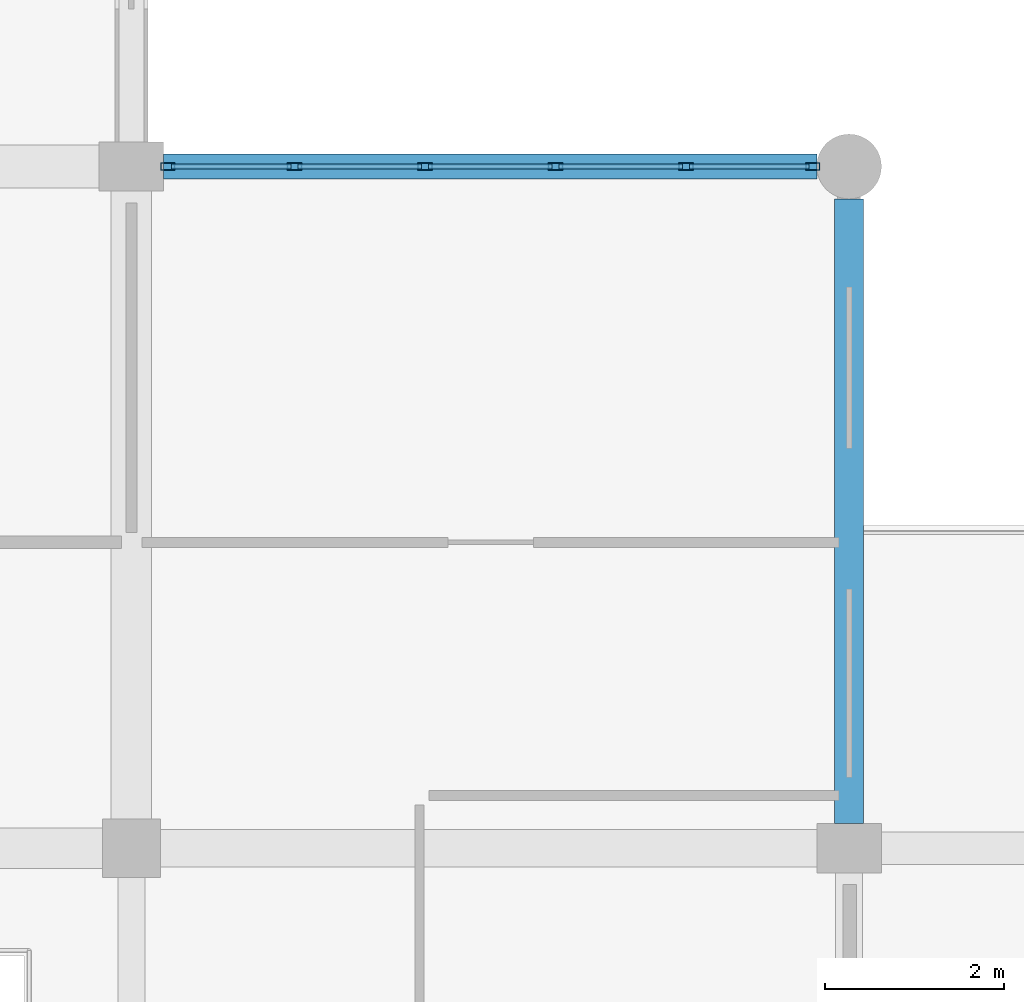
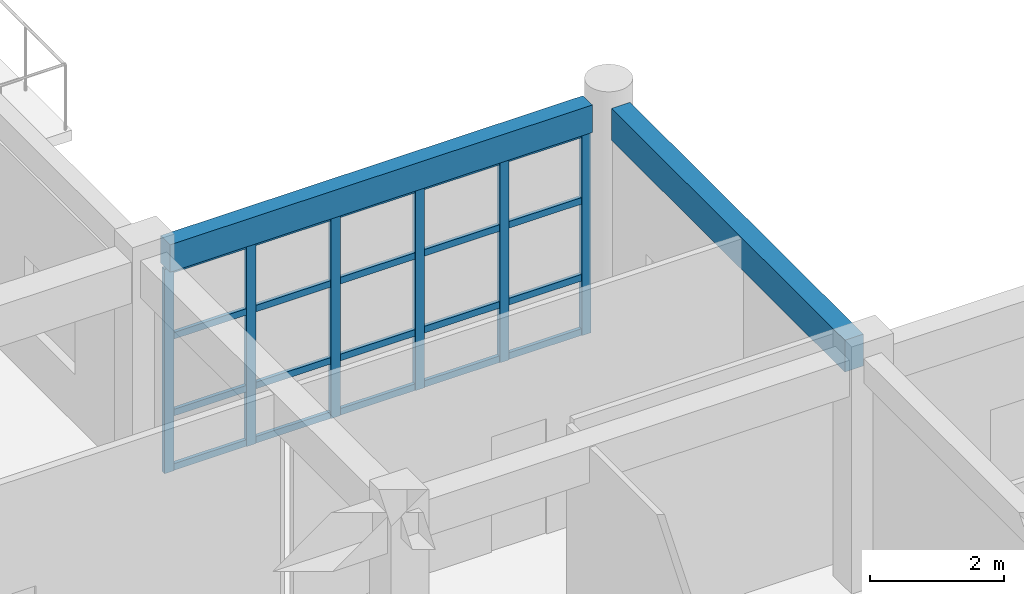
# One storey, part 48 of 160: 26 members, 2 beams, 1 element without a shape of its own.
"""IFC4 building model written with IfcOpenShell, lengths in metres."""

from ifc_helpers import new_model, si_unit, direction, frame, origin, origin_2d, place, context, subcontext, project, spatial, rectangle, hollow_rectangle, extrude, material, material_profile, profile_set, type_object, element, aggregate, save


model = new_model("IFC4")

# Units and contexts
model_context = context("Model", 3, precision=1e-05, world=origin(), true_north=direction((0.0, 1.0)))
body_context = subcontext(model_context, "Body", "Model", "MODEL_VIEW")
ifc_project = project(units=[si_unit("LENGTHUNIT", "METRE"), si_unit("AREAUNIT", "SQUARE_METRE"), si_unit("VOLUMEUNIT", "CUBIC_METRE"), si_unit("PLANEANGLEUNIT", "RADIAN"), si_unit("MASSUNIT", "GRAM", prefix="KILO")], contexts=[model_context])

# Site, building, storey
site_placement = place(None, origin())
site = spatial("IfcSite", under=ifc_project, at=site_placement, CompositionType="ELEMENT")
building_placement = place(site_placement, origin())
building = spatial("IfcBuilding", under=site, at=building_placement, Name="Kharva Crest Polytechnic", CompositionType="ELEMENT")
storey_placement = place(building_placement, frame((0.0, 0.0, 4.5)))
storey = spatial("IfcBuildingStorey", under=building, at=storey_placement, Name="L01", CompositionType="ELEMENT", Elevation=4.5)

# Curtain wall, members
ifc_material_1 = material(Name="Tempered insulated glass", Category="glass")
curtain_wall_type = type_object("IfcCurtainWallType", Name="CW-SYS-COURT", PredefinedType="USERDEFINED", material=ifc_material_1)
curtain_wall_placement = place(storey_placement, origin())
curtain_wall = element("IfcCurtainWall", 1, at=curtain_wall_placement, inside=storey, type_object=curtain_wall_type, Name="L01 Glazed Curtain Wall CW-035", ObjectType="CURTAIN WALL", PredefinedType="USERDEFINED")
ifc_material_2 = material(Name="Steel S355", Category="steel")
ifc_material_profile_1 = material_profile(ifc_material_2, hollow_rectangle(XDim=0.080078125, YDim=0.159912109375, WallThickness=0.0048828125, at=origin_2d()), Name="RHS 160X80X5.0")
ifc_profile_set_1 = profile_set([ifc_material_profile_1], Name="Steel S355")
member_type_1 = type_object("IfcMemberType", Name="CWM-RHS160X80", PredefinedType="MULLION", material=ifc_profile_set_1)
member_1_placement = place(storey_placement, frame((55.594970703125, 30.39990234375, 0.0), z_axis=(0.0, 0.0, 1.0), x_axis=(0.0, -1.0, 0.0)))
member_1 = element("IfcMember", 2, at=member_1_placement, type_object=member_type_1, Name="CW-035 mullion 1", PredefinedType="MULLION", context=body_context, shape_type="SweptSolid", body=[
    extrude(hollow_rectangle(XDim=0.080078125, YDim=0.159912109375, WallThickness=0.0048828125, at=origin_2d()), origin(), (0.0, 0.0, 1.0), 3.719970703125),
])
member_2_placement = place(storey_placement, frame((54.180908203125, 30.39990234375, 0.0), z_axis=(0.0, 0.0, 1.0), x_axis=(0.0, -1.0, 0.0)))
member_2 = element("IfcMember", 3, at=member_2_placement, type_object=member_type_1, Name="CW-035 mullion 2", PredefinedType="MULLION", context=body_context, shape_type="SweptSolid", body=[
    extrude(hollow_rectangle(XDim=0.080078125, YDim=0.159912109375, WallThickness=0.0048828125, at=origin_2d()), origin(), (0.0, 0.0, 1.0), 3.719970703125),
])
member_3_placement = place(storey_placement, frame((52.72705078125, 30.39990234375, 0.0), z_axis=(0.0, 0.0, 1.0), x_axis=(0.0, -1.0, 0.0)))
member_3 = element("IfcMember", 4, at=member_3_placement, type_object=member_type_1, Name="CW-035 mullion 3", PredefinedType="MULLION", context=body_context, shape_type="SweptSolid", body=[
    extrude(hollow_rectangle(XDim=0.080078125, YDim=0.159912109375, WallThickness=0.0048828125, at=origin_2d()), origin(), (0.0, 0.0, 1.0), 3.719970703125),
])
member_4_placement = place(storey_placement, frame((51.27294921875, 30.39990234375, 0.0), z_axis=(0.0, 0.0, 1.0), x_axis=(0.0, -1.0, 0.0)))
member_4 = element("IfcMember", 5, at=member_4_placement, type_object=member_type_1, Name="CW-035 mullion 4", PredefinedType="MULLION", context=body_context, shape_type="SweptSolid", body=[
    extrude(hollow_rectangle(XDim=0.080078125, YDim=0.159912109375, WallThickness=0.0048828125, at=origin_2d()), origin(), (0.0, 0.0, 1.0), 3.719970703125),
])
member_5_placement = place(storey_placement, frame((49.819091796875, 30.39990234375, 0.0), z_axis=(0.0, 0.0, 1.0), x_axis=(0.0, -1.0, 0.0)))
member_5 = element("IfcMember", 6, at=member_5_placement, type_object=member_type_1, Name="CW-035 mullion 5", PredefinedType="MULLION", context=body_context, shape_type="SweptSolid", body=[
    extrude(hollow_rectangle(XDim=0.080078125, YDim=0.159912109375, WallThickness=0.0048828125, at=origin_2d()), origin(), (0.0, 0.0, 1.0), 3.719970703125),
])
member_6_placement = place(storey_placement, frame((48.405029296875, 30.39990234375, 0.0), z_axis=(0.0, 0.0, 1.0), x_axis=(0.0, -1.0, 0.0)))
member_6 = element("IfcMember", 7, at=member_6_placement, type_object=member_type_1, Name="CW-035 mullion 6", PredefinedType="MULLION", context=body_context, shape_type="SweptSolid", body=[
    extrude(hollow_rectangle(XDim=0.080078125, YDim=0.159912109375, WallThickness=0.0048828125, at=origin_2d()), origin(), (0.0, 0.0, 1.0), 3.719970703125),
])
ifc_material_profile_2 = material_profile(ifc_material_2, hollow_rectangle(XDim=0.06005859375, YDim=0.1201171875, WallThickness=0.00390625, at=origin_2d()), Name="RHS 120X60X4.0")
ifc_profile_set_2 = profile_set([ifc_material_profile_2], Name="Steel S355")
member_type_2 = type_object("IfcMemberType", Name="CWT-RHS120X60", PredefinedType="USERDEFINED", material=ifc_profile_set_2)
member_7_placement = place(storey_placement, frame((55.554931640625, 30.39990234375, 0.06005859375), z_axis=(-1.0, 0.0, 0.0), x_axis=(0.0, -1.0, 0.0)))
member_7 = element("IfcMember", 8, at=member_7_placement, type_object=member_type_2, Name="CW-035 transom 1.1", ObjectType="TRANSOM", PredefinedType="USERDEFINED", context=body_context, shape_type="SweptSolid", body=[
    extrude(hollow_rectangle(XDim=0.06005859375, YDim=0.1201171875, WallThickness=0.00390625, at=origin_2d()), origin(), (0.0, 0.0, 1.0), 1.333984375),
])
member_8_placement = place(storey_placement, frame((55.554931640625, 30.39990234375, 1.050048828125), z_axis=(-1.0, 0.0, 0.0), x_axis=(0.0, -1.0, 0.0)))
member_8 = element("IfcMember", 9, at=member_8_placement, type_object=member_type_2, Name="CW-035 transom 1.2", ObjectType="TRANSOM", PredefinedType="USERDEFINED", context=body_context, shape_type="SweptSolid", body=[
    extrude(hollow_rectangle(XDim=0.06005859375, YDim=0.1201171875, WallThickness=0.00390625, at=origin_2d()), origin(), (0.0, 0.0, 1.0), 1.333984375),
])
member_9_placement = place(storey_placement, frame((55.554931640625, 30.39990234375, 2.449951171875), z_axis=(-1.0, 0.0, 0.0), x_axis=(0.0, -1.0, 0.0)))
member_9 = element("IfcMember", 10, at=member_9_placement, type_object=member_type_2, Name="CW-035 transom 1.3", ObjectType="TRANSOM", PredefinedType="USERDEFINED", context=body_context, shape_type="SweptSolid", body=[
    extrude(hollow_rectangle(XDim=0.06005859375, YDim=0.1201171875, WallThickness=0.00390625, at=origin_2d()), origin(), (0.0, 0.0, 1.0), 1.333984375),
])
member_10_placement = place(storey_placement, frame((55.554931640625, 30.39990234375, 3.659912109375), z_axis=(-1.0, 0.0, 0.0), x_axis=(0.0, -1.0, 0.0)))
member_10 = element("IfcMember", 11, at=member_10_placement, type_object=member_type_2, Name="CW-035 transom 1.4", ObjectType="TRANSOM", PredefinedType="USERDEFINED", context=body_context, shape_type="SweptSolid", body=[
    extrude(hollow_rectangle(XDim=0.06005859375, YDim=0.1201171875, WallThickness=0.00390625, at=origin_2d()), origin(), (0.0, 0.0, 1.0), 1.333984375),
])
member_11_placement = place(storey_placement, frame((54.14111328125, 30.39990234375, 0.06005859375), z_axis=(-1.0, 0.0, 0.0), x_axis=(0.0, -1.0, 0.0)))
member_11 = element("IfcMember", 12, at=member_11_placement, type_object=member_type_2, Name="CW-035 transom 2.1", ObjectType="TRANSOM", PredefinedType="USERDEFINED", context=body_context, shape_type="SweptSolid", body=[
    extrude(hollow_rectangle(XDim=0.06005859375, YDim=0.1201171875, WallThickness=0.00390625, at=origin_2d()), origin(), (0.0, 0.0, 1.0), 1.3740234375),
])
member_12_placement = place(storey_placement, frame((54.14111328125, 30.39990234375, 1.050048828125), z_axis=(-1.0, 0.0, 0.0), x_axis=(0.0, -1.0, 0.0)))
member_12 = element("IfcMember", 13, at=member_12_placement, type_object=member_type_2, Name="CW-035 transom 2.2", ObjectType="TRANSOM", PredefinedType="USERDEFINED", context=body_context, shape_type="SweptSolid", body=[
    extrude(hollow_rectangle(XDim=0.06005859375, YDim=0.1201171875, WallThickness=0.00390625, at=origin_2d()), origin(), (0.0, 0.0, 1.0), 1.3740234375),
])
member_13_placement = place(storey_placement, frame((54.14111328125, 30.39990234375, 2.449951171875), z_axis=(-1.0, 0.0, 0.0), x_axis=(0.0, -1.0, 0.0)))
member_13 = element("IfcMember", 14, at=member_13_placement, type_object=member_type_2, Name="CW-035 transom 2.3", ObjectType="TRANSOM", PredefinedType="USERDEFINED", context=body_context, shape_type="SweptSolid", body=[
    extrude(hollow_rectangle(XDim=0.06005859375, YDim=0.1201171875, WallThickness=0.00390625, at=origin_2d()), origin(), (0.0, 0.0, 1.0), 1.3740234375),
])
member_14_placement = place(storey_placement, frame((54.14111328125, 30.39990234375, 3.659912109375), z_axis=(-1.0, 0.0, 0.0), x_axis=(0.0, -1.0, 0.0)))
member_14 = element("IfcMember", 15, at=member_14_placement, type_object=member_type_2, Name="CW-035 transom 2.4", ObjectType="TRANSOM", PredefinedType="USERDEFINED", context=body_context, shape_type="SweptSolid", body=[
    extrude(hollow_rectangle(XDim=0.06005859375, YDim=0.1201171875, WallThickness=0.00390625, at=origin_2d()), origin(), (0.0, 0.0, 1.0), 1.3740234375),
])
member_15_placement = place(storey_placement, frame((52.68701171875, 30.39990234375, 0.06005859375), z_axis=(-1.0, 0.0, 0.0), x_axis=(0.0, -1.0, 0.0)))
member_15 = element("IfcMember", 16, at=member_15_placement, type_object=member_type_2, Name="CW-035 transom 3.1", ObjectType="TRANSOM", PredefinedType="USERDEFINED", context=body_context, shape_type="SweptSolid", body=[
    extrude(hollow_rectangle(XDim=0.06005859375, YDim=0.1201171875, WallThickness=0.00390625, at=origin_2d()), origin(), (0.0, 0.0, 1.0), 1.3740234375),
])
member_16_placement = place(storey_placement, frame((52.68701171875, 30.39990234375, 1.050048828125), z_axis=(-1.0, 0.0, 0.0), x_axis=(0.0, -1.0, 0.0)))
member_16 = element("IfcMember", 17, at=member_16_placement, type_object=member_type_2, Name="CW-035 transom 3.2", ObjectType="TRANSOM", PredefinedType="USERDEFINED", context=body_context, shape_type="SweptSolid", body=[
    extrude(hollow_rectangle(XDim=0.06005859375, YDim=0.1201171875, WallThickness=0.00390625, at=origin_2d()), origin(), (0.0, 0.0, 1.0), 1.3740234375),
])
member_17_placement = place(storey_placement, frame((52.68701171875, 30.39990234375, 2.449951171875), z_axis=(-1.0, 0.0, 0.0), x_axis=(0.0, -1.0, 0.0)))
member_17 = element("IfcMember", 18, at=member_17_placement, type_object=member_type_2, Name="CW-035 transom 3.3", ObjectType="TRANSOM", PredefinedType="USERDEFINED", context=body_context, shape_type="SweptSolid", body=[
    extrude(hollow_rectangle(XDim=0.06005859375, YDim=0.1201171875, WallThickness=0.00390625, at=origin_2d()), origin(), (0.0, 0.0, 1.0), 1.3740234375),
])
member_18_placement = place(storey_placement, frame((52.68701171875, 30.39990234375, 3.659912109375), z_axis=(-1.0, 0.0, 0.0), x_axis=(0.0, -1.0, 0.0)))
member_18 = element("IfcMember", 19, at=member_18_placement, type_object=member_type_2, Name="CW-035 transom 3.4", ObjectType="TRANSOM", PredefinedType="USERDEFINED", context=body_context, shape_type="SweptSolid", body=[
    extrude(hollow_rectangle(XDim=0.06005859375, YDim=0.1201171875, WallThickness=0.00390625, at=origin_2d()), origin(), (0.0, 0.0, 1.0), 1.3740234375),
])
member_19_placement = place(storey_placement, frame((51.23291015625, 30.39990234375, 0.06005859375), z_axis=(-1.0, 0.0, 0.0), x_axis=(0.0, -1.0, 0.0)))
member_19 = element("IfcMember", 20, at=member_19_placement, type_object=member_type_2, Name="CW-035 transom 4.1", ObjectType="TRANSOM", PredefinedType="USERDEFINED", context=body_context, shape_type="SweptSolid", body=[
    extrude(hollow_rectangle(XDim=0.06005859375, YDim=0.1201171875, WallThickness=0.00390625, at=origin_2d()), origin(), (0.0, 0.0, 1.0), 1.3740234375),
])
member_20_placement = place(storey_placement, frame((51.23291015625, 30.39990234375, 1.050048828125), z_axis=(-1.0, 0.0, 0.0), x_axis=(0.0, -1.0, 0.0)))
member_20 = element("IfcMember", 21, at=member_20_placement, type_object=member_type_2, Name="CW-035 transom 4.2", ObjectType="TRANSOM", PredefinedType="USERDEFINED", context=body_context, shape_type="SweptSolid", body=[
    extrude(hollow_rectangle(XDim=0.06005859375, YDim=0.1201171875, WallThickness=0.00390625, at=origin_2d()), origin(), (0.0, 0.0, 1.0), 1.3740234375),
])
member_21_placement = place(storey_placement, frame((51.23291015625, 30.39990234375, 2.449951171875), z_axis=(-1.0, 0.0, 0.0), x_axis=(0.0, -1.0, 0.0)))
member_21 = element("IfcMember", 22, at=member_21_placement, type_object=member_type_2, Name="CW-035 transom 4.3", ObjectType="TRANSOM", PredefinedType="USERDEFINED", context=body_context, shape_type="SweptSolid", body=[
    extrude(hollow_rectangle(XDim=0.06005859375, YDim=0.1201171875, WallThickness=0.00390625, at=origin_2d()), origin(), (0.0, 0.0, 1.0), 1.3740234375),
])
member_22_placement = place(storey_placement, frame((51.23291015625, 30.39990234375, 3.659912109375), z_axis=(-1.0, 0.0, 0.0), x_axis=(0.0, -1.0, 0.0)))
member_22 = element("IfcMember", 23, at=member_22_placement, type_object=member_type_2, Name="CW-035 transom 4.4", ObjectType="TRANSOM", PredefinedType="USERDEFINED", context=body_context, shape_type="SweptSolid", body=[
    extrude(hollow_rectangle(XDim=0.06005859375, YDim=0.1201171875, WallThickness=0.00390625, at=origin_2d()), origin(), (0.0, 0.0, 1.0), 1.3740234375),
])
member_23_placement = place(storey_placement, frame((49.779052734375, 30.39990234375, 0.06005859375), z_axis=(-1.0, 0.0, 0.0), x_axis=(0.0, -1.0, 0.0)))
member_23 = element("IfcMember", 24, at=member_23_placement, type_object=member_type_2, Name="CW-035 transom 5.1", ObjectType="TRANSOM", PredefinedType="USERDEFINED", context=body_context, shape_type="SweptSolid", body=[
    extrude(hollow_rectangle(XDim=0.06005859375, YDim=0.1201171875, WallThickness=0.00390625, at=origin_2d()), origin(), (0.0, 0.0, 1.0), 1.333984375),
])
member_24_placement = place(storey_placement, frame((49.779052734375, 30.39990234375, 1.050048828125), z_axis=(-1.0, 0.0, 0.0), x_axis=(0.0, -1.0, 0.0)))
member_24 = element("IfcMember", 25, at=member_24_placement, type_object=member_type_2, Name="CW-035 transom 5.2", ObjectType="TRANSOM", PredefinedType="USERDEFINED", context=body_context, shape_type="SweptSolid", body=[
    extrude(hollow_rectangle(XDim=0.06005859375, YDim=0.1201171875, WallThickness=0.00390625, at=origin_2d()), origin(), (0.0, 0.0, 1.0), 1.333984375),
])
member_25_placement = place(storey_placement, frame((49.779052734375, 30.39990234375, 2.449951171875), z_axis=(-1.0, 0.0, 0.0), x_axis=(0.0, -1.0, 0.0)))
member_25 = element("IfcMember", 26, at=member_25_placement, type_object=member_type_2, Name="CW-035 transom 5.3", ObjectType="TRANSOM", PredefinedType="USERDEFINED", context=body_context, shape_type="SweptSolid", body=[
    extrude(hollow_rectangle(XDim=0.06005859375, YDim=0.1201171875, WallThickness=0.00390625, at=origin_2d()), origin(), (0.0, 0.0, 1.0), 1.333984375),
])
member_26_placement = place(storey_placement, frame((49.779052734375, 30.39990234375, 3.659912109375), z_axis=(-1.0, 0.0, 0.0), x_axis=(0.0, -1.0, 0.0)))
member_26 = element("IfcMember", 27, at=member_26_placement, type_object=member_type_2, Name="CW-035 transom 5.4", ObjectType="TRANSOM", PredefinedType="USERDEFINED", context=body_context, shape_type="SweptSolid", body=[
    extrude(hollow_rectangle(XDim=0.06005859375, YDim=0.1201171875, WallThickness=0.00390625, at=origin_2d()), origin(), (0.0, 0.0, 1.0), 1.333984375),
])
aggregate(curtain_wall, [member_1, member_2, member_3, member_4, member_5, member_6, member_7, member_8, member_9, member_10, member_11, member_12, member_13, member_14, member_15, member_16, member_17, member_18, member_19, member_20, member_21, member_22, member_23, member_24, member_25, member_26])

# Beams
ifc_material_3 = material(Name="Concrete C35/45", Category="concrete")
ifc_material_profile_3 = material_profile(ifc_material_3, rectangle(XDim=0.280029296875, YDim=0.5, at=origin_2d()), Name="RECT 280 X 500")
ifc_profile_set_3 = profile_set([ifc_material_profile_3], Name="Concrete C35/45")
beam_type_1 = type_object("IfcBeamType", Name="SP-RC-280X500", PredefinedType="SPANDREL", material=ifc_profile_set_3)
beam_1_placement = place(storey_placement, frame((48.360107421875, 30.39990234375, 3.969970703125), z_axis=(1.0, 0.0, 0.0), x_axis=(0.0, 1.0, 0.0)))
element("IfcBeam", 28, at=beam_1_placement, inside=storey, type_object=beam_type_1, Name="L01 Beam E/7-8", PredefinedType="SPANDREL", context=body_context, shape_type="SweptSolid", body=[
    extrude(rectangle(XDim=0.280029296875, YDim=0.5, at=origin_2d()), origin(), (0.0, 0.0, 1.0), 7.27978515625),
])
ifc_material_profile_4 = material_profile(ifc_material_3, rectangle(XDim=0.320068359375, YDim=0.580078125, at=origin_2d()), Name="RECT 320 X 580")
ifc_profile_set_4 = profile_set([ifc_material_profile_4], Name="Concrete C35/45")
beam_type_2 = type_object("IfcBeamType", Name="SP-RC-320X580", PredefinedType="SPANDREL", material=ifc_profile_set_4)
beam_2_placement = place(storey_placement, frame((56.0, 23.074951171875, 3.929931640625), z_axis=(0.0, 1.0, 0.0), x_axis=(-1.0, 0.0, 0.0)))
element("IfcBeam", 29, at=beam_2_placement, inside=storey, type_object=beam_type_2, Name="L01 Girder 8/D-E", PredefinedType="SPANDREL", context=body_context, shape_type="SweptSolid", body=[
    extrude(rectangle(XDim=0.320068359375, YDim=0.580078125, at=origin_2d()), origin(), (0.0, 0.0, 1.0), 6.965087890625),
])

save(model, "model.ifc")
